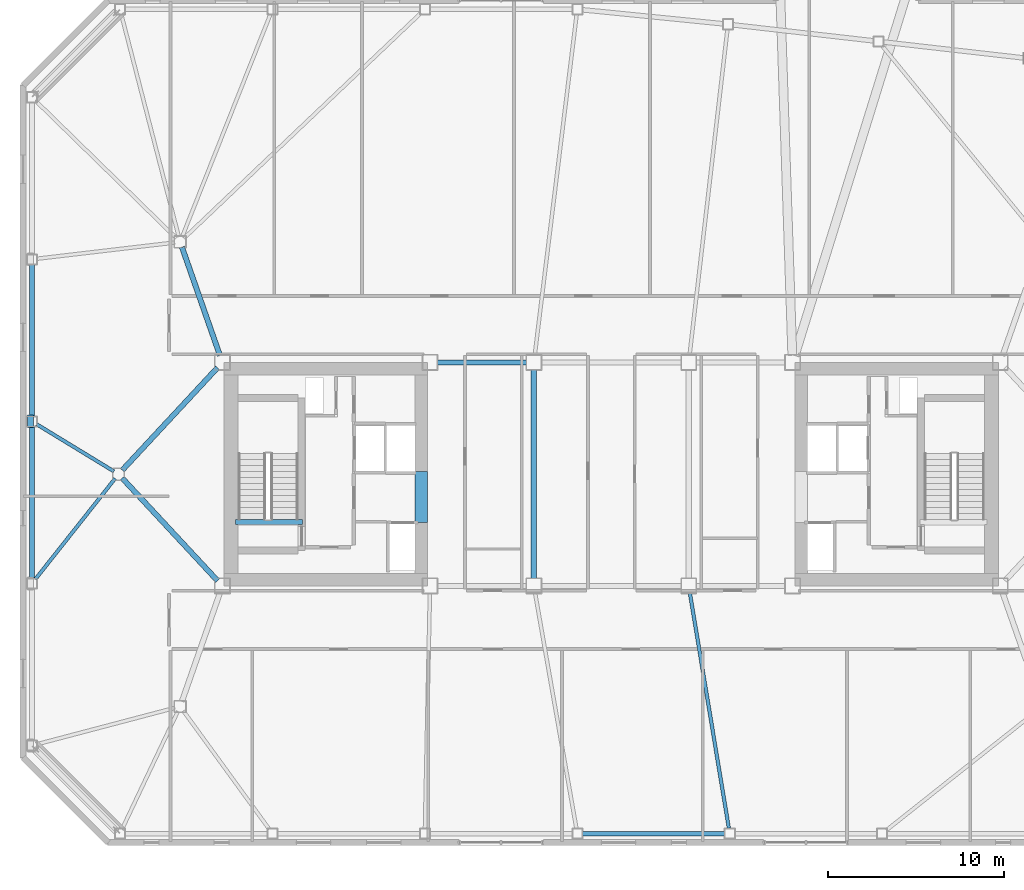
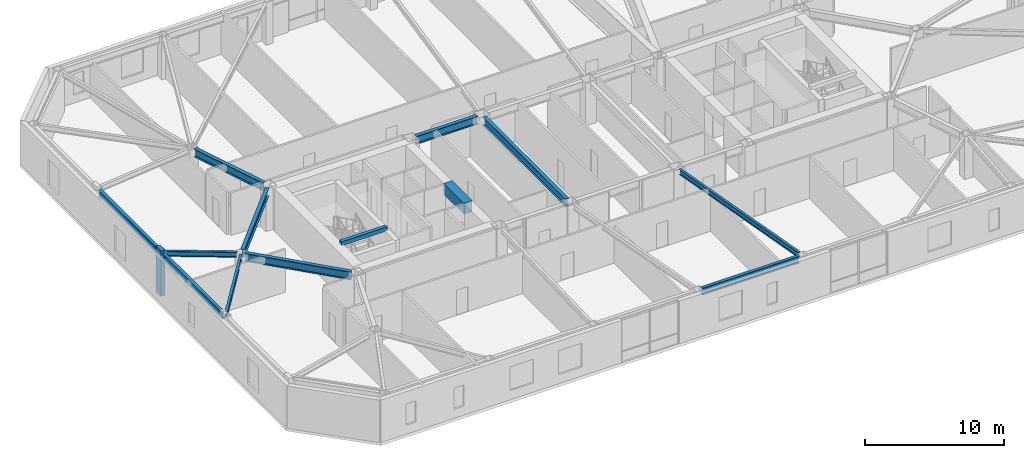
# One storey, part 5 of 20: 13 beams, 1 member.
"""IFC4 building model written with IfcOpenShell, lengths in metres."""

from ifc_helpers import new_model, si_unit, direction, frame, origin, origin_2d, place, context, subcontext, project, spatial, rectangle, i_section, extrude, material, material_profile, profile_set, type_object, element, save


model = new_model("IFC4")

# Units and contexts
model_context = context("Model", 3, precision=1e-05, world=origin(), true_north=direction((0.0, 1.0)))
body_context = subcontext(model_context, "Body", "Model", "MODEL_VIEW")
ifc_project = project(units=[si_unit("LENGTHUNIT", "METRE"), si_unit("AREAUNIT", "SQUARE_METRE"), si_unit("VOLUMEUNIT", "CUBIC_METRE"), si_unit("PLANEANGLEUNIT", "RADIAN"), si_unit("MASSUNIT", "GRAM", prefix="KILO")], contexts=[model_context])

# Site, building, storey
site_placement = place(None, origin())
site = spatial("IfcSite", under=ifc_project, at=site_placement, CompositionType="ELEMENT")
building_placement = place(site_placement, origin())
building = spatial("IfcBuilding", under=site, at=building_placement, Name="Tavrogorsk Clinical Tower", CompositionType="ELEMENT")
storey_placement = place(building_placement, frame((0.0, 0.0, 176.199951171875)))
storey = spatial("IfcBuildingStorey", under=building, at=storey_placement, Name="L40", CompositionType="ELEMENT", Elevation=176.199951171875)

# Beams
ifc_material_1 = material(Name="Concrete B80", Category="concrete")
ifc_material_profile_1 = material_profile(ifc_material_1, rectangle(XDim=0.699951171875, YDim=0.949951171875, at=origin_2d()), Name="RC-CB-700x950")
ifc_profile_set_1 = profile_set([ifc_material_profile_1], Name="Concrete B80")
beam_type_1 = type_object("IfcBeamType", Name="CouplingBeam_RC700x950", PredefinedType="LINTEL", material=ifc_profile_set_1)
beam_1_placement = place(storey_placement, frame((-10.800048828125, -2.75, 3.26513671875), z_axis=(0.0, 1.0, 0.0), x_axis=(-1.0, 0.0, 0.0)))
element("IfcBeam", 1, at=beam_1_placement, inside=storey, type_object=beam_type_1, Name="L40 Core West Coupling Beam", PredefinedType="LINTEL", context=body_context, shape_type="SweptSolid", body=[
    extrude(rectangle(XDim=0.699951171875, YDim=0.949951171875, at=origin_2d()), origin(), (0.0, 0.0, 1.0), 2.89990234375),
])
ifc_material_2 = material(Name="Structural steel S355", Category="steel")
ifc_material_profile_2 = material_profile(ifc_material_2, i_section(OverallWidth=0.199951171875, OverallDepth=0.449951171875, WebThickness=0.011474609375, FlangeThickness=0.01806640625, at=origin_2d()), Name="B-450x200x11.5x18")
ifc_profile_set_2 = profile_set([ifc_material_profile_2], Name="Structural steel S355")
beam_type_2 = type_object("IfcBeamType", Name="FloorBeam_B450", PredefinedType="BEAM", material=ifc_profile_set_2)
beam_2_placement = place(storey_placement, frame((4.467041015625, -6.75439453125, 3.51513671875), z_axis=(0.16347521907, -0.986547440699, 0.0), x_axis=(0.986547440699, 0.16347521907, 0.0)))
element("IfcBeam", 2, at=beam_2_placement, inside=storey, type_object=beam_type_2, Name="L40 Radial Floor Beam S5", PredefinedType="BEAM", context=body_context, shape_type="SweptSolid", body=[
    extrude(i_section(OverallWidth=0.199951171875, OverallDepth=0.449951171875, WebThickness=0.011474609375, FlangeThickness=0.01806640625, at=origin_2d()), origin(), (0.0, 0.0, 1.0), 13.5439453125),
])
beam_3_placement = place(storey_placement, frame((-28.2646484375, 0.161376953125, 3.51513671875), z_axis=(-0.853798748257, 0.520603205402, 0.0), x_axis=(-0.520603205402, -0.853798748257, 0.0)))
element("IfcBeam", 3, at=beam_3_placement, inside=storey, type_object=beam_type_2, Name="L40 Radial Floor Beam W3", PredefinedType="BEAM", context=body_context, shape_type="SweptSolid", body=[
    extrude(i_section(OverallWidth=0.199951171875, OverallDepth=0.449951171875, WebThickness=0.011474609375, FlangeThickness=0.01806640625, at=origin_2d()), origin(), (0.0, 0.0, 1.0), 5.14453125),
])
beam_4_placement = place(storey_placement, frame((-28.192626953125, -0.242919921875, 3.51513671875), z_axis=(-0.620987118336, -0.783820769603, 0.0), x_axis=(0.783820769603, -0.620987118336, 0.0)))
element("IfcBeam", 4, at=beam_4_placement, inside=storey, type_object=beam_type_2, Name="L40 Radial Floor Beam W4", PredefinedType="BEAM", context=body_context, shape_type="SweptSolid", body=[
    extrude(i_section(OverallWidth=0.199951171875, OverallDepth=0.449951171875, WebThickness=0.011474609375, FlangeThickness=0.01806640625, at=origin_2d()), origin(), (0.0, 0.0, 1.0), 7.3046875),
])

# Member
ifc_material_3 = material(Name="Precast concrete B45 with limestone cladding", Category="masonry")
ifc_material_profile_3 = material_profile(ifc_material_3, rectangle(XDim=0.320068359375, YDim=0.719970703125, at=origin_2d()), Name="LIMESTONE-FIN-320x720")
ifc_profile_set_3 = profile_set([ifc_material_profile_3], Name="Precast concrete B45 with limestone cladding")
member_type = type_object("IfcMemberType", Name="LimestonePleatFin_320x720", PredefinedType="USERDEFINED", material=ifc_profile_set_3)
member_placement = place(storey_placement, frame((-33.0, 3.0, 0.0), z_axis=(0.0, 0.0, 1.0), x_axis=(1.0, 0.0, 0.0)))
element("IfcMember", 5, at=member_placement, inside=storey, type_object=member_type, Name="L40 W Pleated Stone Fin 2", ObjectType="FIN", PredefinedType="USERDEFINED", context=body_context, shape_type="SweptSolid", body=[
    extrude(rectangle(XDim=0.320068359375, YDim=0.719970703125, at=origin_2d()), origin(), (0.0, 0.0, 1.0), 4.0),
])

# Beams
ifc_material_4 = material(Name="Structural steel S390", Category="steel")
ifc_material_profile_4 = material_profile(ifc_material_4, i_section(OverallWidth=0.300048828125, OverallDepth=0.699951171875, WebThickness=0.01708984375, FlangeThickness=0.028076171875, at=origin_2d()), Name="B-700x300x17x28")
ifc_profile_set_4 = profile_set([ifc_material_profile_4], Name="Structural steel S390")
beam_type_3 = type_object("IfcBeamType", Name="PrimaryGirder_B700", PredefinedType="USERDEFINED", material=ifc_profile_set_4)
beam_5_placement = place(storey_placement, frame((-9.889892578125, 6.35009765625, 3.39013671875), z_axis=(1.0, 0.0, 0.0), x_axis=(0.0, 1.0, 0.0)))
element("IfcBeam", 6, at=beam_5_placement, inside=storey, type_object=beam_type_3, Name="L40 Primary Spine Girder MG-02", ObjectType="GIRDER", PredefinedType="USERDEFINED", context=body_context, shape_type="SweptSolid", body=[
    extrude(i_section(OverallWidth=0.300048828125, OverallDepth=0.699951171875, WebThickness=0.01708984375, FlangeThickness=0.028076171875, at=origin_2d()), origin(), (0.0, 0.0, 1.0), 5.079833984375),
])
beam_6_placement = place(storey_placement, frame((-4.39990234375, -5.93994140625, 3.39013671875), z_axis=(0.0, 1.0, 0.0), x_axis=(-1.0, 0.0, 0.0)))
element("IfcBeam", 7, at=beam_6_placement, inside=storey, type_object=beam_type_3, Name="L40 Primary Spine Girder MG-07", ObjectType="GIRDER", PredefinedType="USERDEFINED", context=body_context, shape_type="SweptSolid", body=[
    extrude(i_section(OverallWidth=0.300048828125, OverallDepth=0.699951171875, WebThickness=0.01708984375, FlangeThickness=0.028076171875, at=origin_2d()), origin(), (0.0, 0.0, 1.0), 11.8798828125),
])
beam_7_placement = place(storey_placement, frame((-24.3974609375, 12.907470703125, 3.39013671875), z_axis=(0.33065312634, -0.94375235631, 0.0), x_axis=(0.94375235631, 0.33065312634, 0.0)))
element("IfcBeam", 8, at=beam_7_placement, inside=storey, type_object=beam_type_3, Name="L40 Spine Link Girder OPG-3", ObjectType="GIRDER", PredefinedType="USERDEFINED", context=body_context, shape_type="SweptSolid", body=[
    extrude(i_section(OverallWidth=0.300048828125, OverallDepth=0.699951171875, WebThickness=0.01708984375, FlangeThickness=0.028076171875, at=origin_2d()), origin(), (0.0, 0.0, 1.0), 6.5380859375),
])
for number, where, z_axis, x_axis, name in (
    (9, (-27.7890625, -0.22705078125, 3.39013671875), (0.680673750312, -0.732586681312, 0.0), (0.732586681312, 0.680673750312, 0.0), "L40 Spine Link Girder OPG-5"),
    (10, (-27.7890625, 0.22705078125, 3.39013671875), (0.680673750312, 0.732586681312, 0.0), (-0.732586681312, 0.680673750312, 0.0), "L40 Spine Link Girder OPG-6"),
):
    element("IfcBeam", number, at=place(storey_placement, frame(where, z_axis=z_axis, x_axis=x_axis)), inside=storey, type_object=beam_type_3, Name=name, ObjectType="GIRDER", PredefinedType="USERDEFINED", context=body_context, shape_type="SweptSolid", body=[
        extrude(i_section(OverallWidth=0.300048828125, OverallDepth=0.699951171875, WebThickness=0.01708984375, FlangeThickness=0.028076171875, at=origin_2d()), origin(), (0.0, 0.0, 1.0), 7.947998046875),
    ])
ifc_material_5 = material(Name="Structural steel S390", Category="steel")
ifc_material_profile_5 = material_profile(ifc_material_5, i_section(OverallWidth=0.260009765625, OverallDepth=0.60009765625, WebThickness=0.014892578125, FlangeThickness=0.02392578125, at=origin_2d()), Name="B-600x260x15x24")
ifc_profile_set_5 = profile_set([ifc_material_profile_5], Name="Structural steel S390")
beam_type_4 = type_object("IfcBeamType", Name="SpandrelBeam_B600", PredefinedType="SPANDREL", material=ifc_profile_set_5)
beam_8_placement = place(storey_placement, frame((-1.623291015625, -20.419921875, 3.43994140625), z_axis=(1.0, 0.0, 0.0), x_axis=(0.0, 1.0, 0.0)))
element("IfcBeam", 11, at=beam_8_placement, inside=storey, type_object=beam_type_4, Name="L40 Perimeter Spandrel S4-S5", PredefinedType="SPANDREL", context=body_context, shape_type="SweptSolid", body=[
    extrude(i_section(OverallWidth=0.260009765625, OverallDepth=0.60009765625, WebThickness=0.014892578125, FlangeThickness=0.02392578125, at=origin_2d()), origin(), (0.0, 0.0, 1.0), 8.046630859375),
])
for number, where, z_axis, x_axis, name in (
    (12, (-32.919921875, 11.902099609375, 3.43994140625), (0.0, -1.0, 0.0), (1.0, 0.0, 0.0), "L40 Perimeter Spandrel W2-W3"),
    (13, (-32.919921875, 2.69189453125, 3.43994140625), (0.0, -1.0, 0.0), (1.0, 0.0, 0.0), "L40 Perimeter Spandrel W3-W4"),
):
    element("IfcBeam", number, at=place(storey_placement, frame(where, z_axis=z_axis, x_axis=x_axis)), inside=storey, type_object=beam_type_4, Name=name, PredefinedType="SPANDREL", context=body_context, shape_type="SweptSolid", body=[
        extrude(i_section(OverallWidth=0.260009765625, OverallDepth=0.60009765625, WebThickness=0.014892578125, FlangeThickness=0.02392578125, at=origin_2d()), origin(), (0.0, 0.0, 1.0), 8.593994140625),
    ])
ifc_material_6 = material(Name="Concrete B60", Category="concrete")
ifc_material_profile_6 = material_profile(ifc_material_6, rectangle(XDim=0.300048828125, YDim=0.35009765625, at=origin_2d()), Name="RC-SHB-300x350")
ifc_profile_set_6 = profile_set([ifc_material_profile_6], Name="Concrete B60")
beam_type_5 = type_object("IfcBeamType", Name="StairHeaderBeam_RC300x350", PredefinedType="BEAM", material=ifc_profile_set_6)
beam_9_placement = place(storey_placement, frame((-21.35009765625, -2.719970703125, 3.824951171875), z_axis=(1.0, 0.0, 0.0), x_axis=(0.0, 1.0, 0.0)))
element("IfcBeam", 14, at=beam_9_placement, inside=storey, type_object=beam_type_5, Name="L41 ST-W Landing Header Beam", PredefinedType="BEAM", context=body_context, shape_type="SweptSolid", body=[
    extrude(rectangle(XDim=0.300048828125, YDim=0.35009765625, at=origin_2d()), origin(), (0.0, 0.0, 1.0), 3.800048828125),
])

save(model, "model.ifc")
